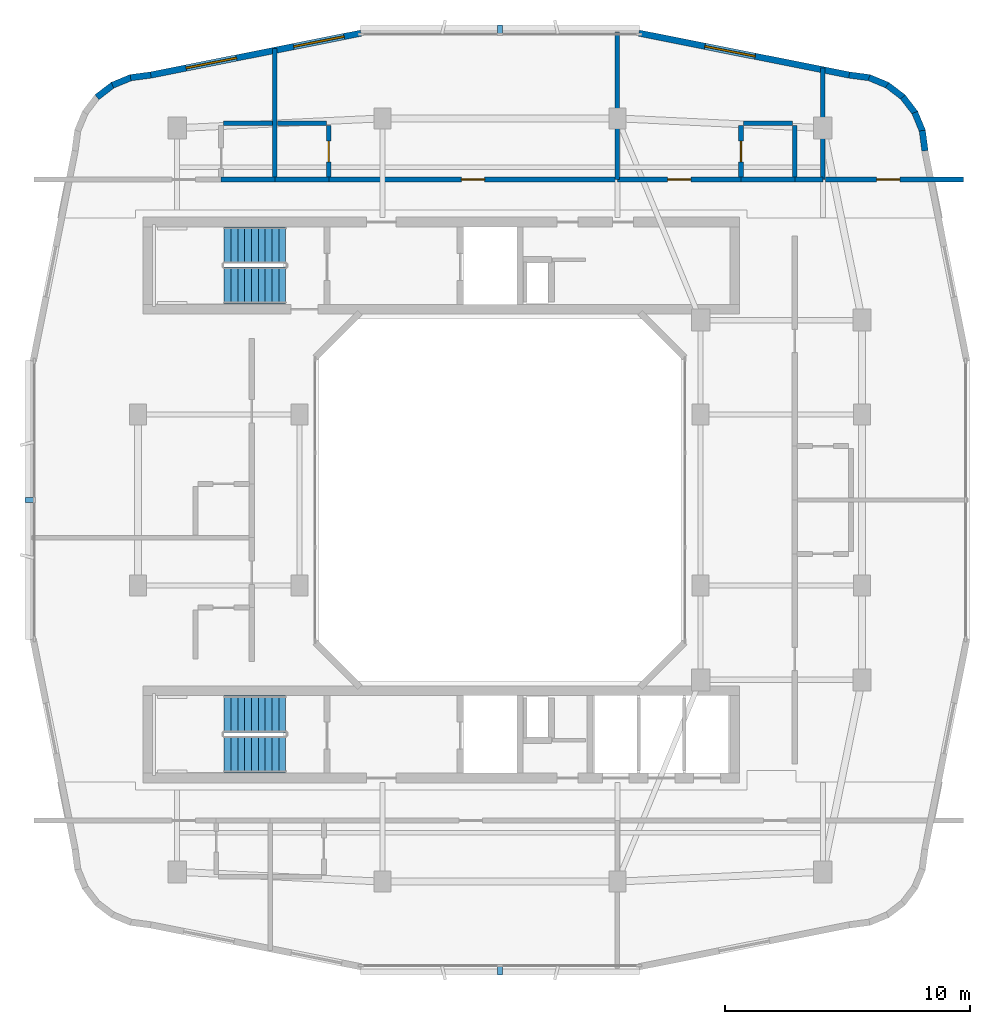
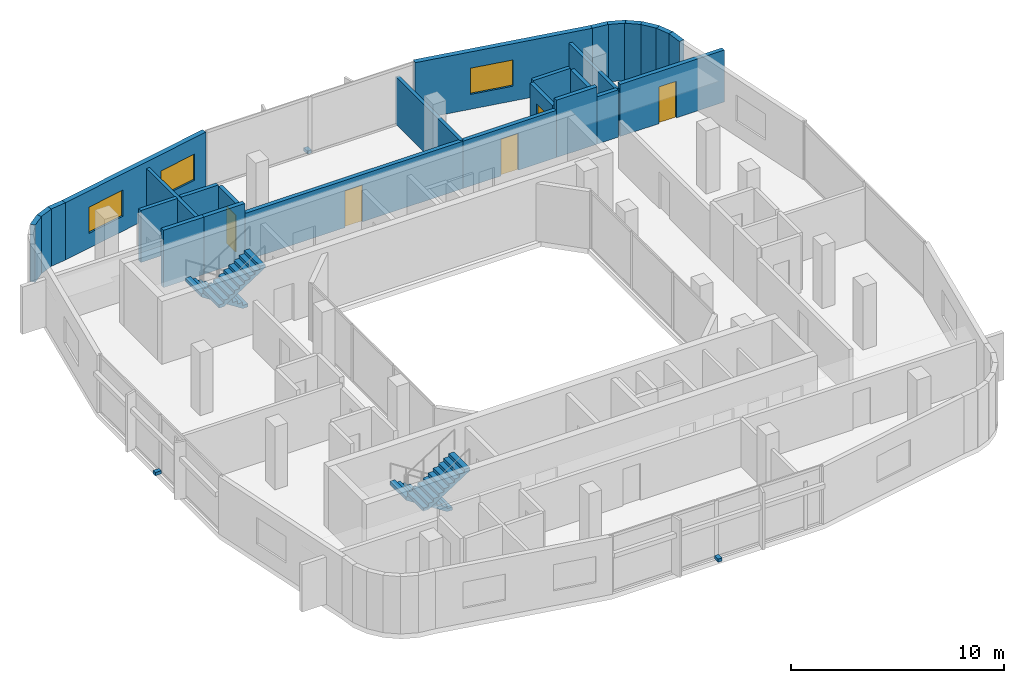
# One storey, part 9 of 13: 27 walls, 5 doors, 4 stair flights, 3 discrete accessories, 3 windows, 8 openings, 2 elements without a shape of their own.
"""IFC4 building model written with IfcOpenShell, lengths in metres."""

from ifc_helpers import new_model, si_unit, derived_unit, direction, frame, frame_2d, origin, origin_2d, place, context, subcontext, project, spatial, polyline, rectangle, outline, extrude, material, layer, layer_set, type_object, element, fill, aggregate, save


model = new_model("IFC4")

# Units and contexts
model_context = context("Model", 3, precision=1e-05, world=origin(), true_north=direction((0.0, 1.0)))
body_context = subcontext(model_context, "Body", "Model", "MODEL_VIEW")
ifc_project = project(units=[si_unit("LENGTHUNIT", "METRE"), si_unit("AREAUNIT", "SQUARE_METRE"), si_unit("VOLUMEUNIT", "CUBIC_METRE"), si_unit("PLANEANGLEUNIT", "RADIAN"), si_unit("MASSUNIT", "GRAM", prefix="KILO"), derived_unit("THERMALTRANSMITTANCEUNIT", [(si_unit("POWERUNIT", "WATT"), 1), (si_unit("LENGTHUNIT", "METRE"), -2), (si_unit("THERMODYNAMICTEMPERATUREUNIT", "KELVIN"), -1)])], contexts=[model_context])

# Site, building, storey
site_placement = place(None, origin())
site = spatial("IfcSite", under=ifc_project, at=site_placement, CompositionType="ELEMENT")
building_placement = place(site_placement, origin())
building = spatial("IfcBuilding", under=site, at=building_placement, Name="Kivonza Crest Hotel", CompositionType="ELEMENT")
storey_placement = place(building_placement, frame((0.0, 0.0, 235.10009765625)))
storey = spatial("IfcBuildingStorey", under=building, at=storey_placement, Name="L64", CompositionType="ELEMENT", Elevation=235.10009765625)

# Walls
ifc_material_1 = material(Name="High-density acoustic masonry inter-tenancy wall", Category="masonry")
ifc_layer_1 = layer(ifc_material_1, 0.179931640625)
ifc_layer_set_1 = layer_set([ifc_layer_1], Name="High-density acoustic masonry inter-tenancy wall")
wall_type_1 = type_object("IfcWallType", Name="WL-ACOU-180", PredefinedType="SOLIDWALL", material=ifc_layer_set_1)
wall_1_placement = place(storey_placement, frame((11.800048828125, 38.10009765625, 0.0), z_axis=(0.0, 0.0, 1.0), x_axis=(0.0, 1.0, 0.0)))
element("IfcWall", 1, at=wall_1_placement, inside=storey, type_object=wall_type_1, Name="L64 interior partition WA-L64-T1N-DIV1", PredefinedType="SOLIDWALL", context=body_context, shape_type="SweptSolid", body=[
    extrude(rectangle(XDim=5.35400390625, YDim=0.179931640625, at=frame_2d((2.677001953125, 0.0))), origin(), (0.0, 0.0, 1.0), 2.89501953125),
])
wall_2_placement = place(storey_placement, frame((25.800048828125, 38.10009765625, 0.0), z_axis=(0.0, 0.0, 1.0), x_axis=(0.0, 1.0, 0.0)))
element("IfcWall", 2, at=wall_2_placement, inside=storey, type_object=wall_type_1, Name="L64 interior partition WA-L64-T1N-DIV2", PredefinedType="SOLIDWALL", context=body_context, shape_type="SweptSolid", body=[
    extrude(rectangle(XDim=6.039794921875, YDim=0.179931640625, at=frame_2d((3.02001953125, 0.0))), origin(), (0.0, 0.0, 1.0), 2.704833984375),
])
wall_3_placement = place(storey_placement, frame((34.199951171875, 38.10009765625, 0.0), z_axis=(0.0, 0.0, 1.0), x_axis=(0.0, 1.0, 0.0)))
element("IfcWall", 3, at=wall_3_placement, inside=storey, type_object=wall_type_1, Name="L64 interior partition WA-L64-T1N-DIV3", PredefinedType="SOLIDWALL", context=body_context, shape_type="SweptSolid", body=[
    extrude(rectangle(XDim=4.557861328125, YDim=0.179931640625, at=frame_2d((2.27880859375, 0.0))), origin(), (0.0, 0.0, 1.0), 2.704833984375),
])
ifc_material_2 = material(Name="Autoclaved aerated concrete blockwork", Category="masonry")
ifc_layer_2 = layer(ifc_material_2, 0.219970703125)
ifc_layer_set_2 = layer_set([ifc_layer_2], Name="Autoclaved aerated concrete blockwork")
wall_type_2 = type_object("IfcWallType", Name="WL-ACOU-220", PredefinedType="SOLIDWALL", material=ifc_layer_set_2)
for number, where, z_axis, x_axis, name in (
    (4, (9.60009765625, 38.10009765625, 0.0), (0.0, 0.0, 1.0), (1.0, 0.0, 0.0), "L64 interior partition WA-L64-N01-BCORR"),
    (5, (11.800048828125, 38.10009765625, 0.0), (0.0, 0.0, 1.0), (1.0, 0.0, 0.0), "L64 interior partition WA-L64-N02-BCORR"),
):
    element("IfcWall", number, at=place(storey_placement, frame(where, z_axis=z_axis, x_axis=x_axis)), inside=storey, type_object=wall_type_2, Name=name, PredefinedType="SOLIDWALL", context=body_context, shape_type="SweptSolid", body=[
        extrude(rectangle(XDim=2.199951171875, YDim=0.219970703125, at=frame_2d((1.10009765625, 0.0))), origin(), (0.0, 0.0, 1.0), 3.27978515625),
    ])

# Wall, opening, door
wall_4_placement = place(storey_placement, frame((14.0, 38.10009765625, 0.0), z_axis=(0.0, 0.0, 1.0), x_axis=(1.0, 0.0, 0.0)))
wall_4 = element("IfcWall", 6, at=wall_4_placement, inside=storey, type_object=wall_type_2, Name="L64 interior partition WA-L64-N02-MCORR", PredefinedType="SOLIDWALL", context=body_context, shape_type="SweptSolid", body=[
    extrude(rectangle(XDim=11.800048828125, YDim=0.219970703125, at=frame_2d((5.89990234375, 0.0))), origin(), (0.0, 0.0, 1.0), 2.704833984375),
])
opening_1_placement = place(wall_4_placement, frame((5.425048828125, 0.0, 0.0)))
opening_1 = element("IfcOpeningElement", 7, at=opening_1_placement, cuts=wall_4, Name="Opening DU-60", PredefinedType="OPENING", context=body_context, shape_type="SweptSolid", body=[
    extrude(rectangle(XDim=0.949951171875, YDim=2.10009765625, at=frame_2d((0.47509765625, 1.050048828125))), frame((0.0, 0.1201171875, 0.0), z_axis=(0.0, -1.0, 0.0), x_axis=(1.0, 0.0, 0.0)), (0.0, 0.0, 1.0), 0.239990234375),
])
ifc_material_3 = material(Name="Hardwood timber oak", Category="wood")
door_type_1 = type_object("IfcDoorType", Name="DR-UNIT-950", OperationType="NOTDEFINED", PredefinedType="DOOR", material=ifc_material_3)
door_1_placement = place(opening_1_placement, origin())
door_1 = element("IfcDoor", 8, at=door_1_placement, inside=storey, type_object=door_type_1, Name="L64 N02 guest unit entrance fire door", OperationType="SINGLE_SWING_RIGHT", OverallHeight=2.10009765625, OverallWidth=0.949951171875, PredefinedType="DOOR", context=body_context, shape_type="SweptSolid", body=[
    extrude(rectangle(XDim=0.949951171875, YDim=2.10009765625, at=frame_2d((0.47509765625, 1.050048828125))), frame((0.0, 0.02490234375, 0.0), z_axis=(0.0, -1.0, 0.0), x_axis=(1.0, 0.0, 0.0)), (0.0, 0.0, 1.0), 0.050048828125),
])
fill(opening_1, door_1)

# Walls
wall_5_placement = place(storey_placement, frame((33.050048828125, 38.10009765625, 0.0), z_axis=(0.0, 0.0, 1.0), x_axis=(1.0, 0.0, 0.0)))
element("IfcWall", 9, at=wall_5_placement, inside=storey, type_object=wall_type_2, Name="L64 interior partition WA-L64-N03-XCORR", PredefinedType="SOLIDWALL", context=body_context, shape_type="SweptSolid", body=[
    extrude(rectangle(XDim=1.14990234375, YDim=0.219970703125, at=frame_2d((0.574951171875, 0.0))), origin(), (0.0, 0.0, 1.0), 2.704833984375),
])
wall_6_placement = place(storey_placement, frame((30.85009765625, 38.10009765625, 0.0), z_axis=(0.0, 0.0, 1.0), x_axis=(1.0, 0.0, 0.0)))
element("IfcWall", 10, at=wall_6_placement, inside=storey, type_object=wall_type_2, Name="L64 interior partition WA-L64-N03-BCORR", PredefinedType="SOLIDWALL", context=body_context, shape_type="SweptSolid", body=[
    extrude(rectangle(XDim=2.199951171875, YDim=0.219970703125, at=frame_2d((1.10009765625, 0.0))), origin(), (0.0, 0.0, 1.0), 3.27978515625),
])

# Wall, opening, door
wall_7_placement = place(storey_placement, frame((25.800048828125, 38.10009765625, 0.0), z_axis=(0.0, 0.0, 1.0), x_axis=(1.0, 0.0, 0.0)))
wall_7 = element("IfcWall", 11, at=wall_7_placement, inside=storey, type_object=wall_type_2, Name="L64 interior partition WA-L64-N03-MCORR", PredefinedType="SOLIDWALL", context=body_context, shape_type="SweptSolid", body=[
    extrude(rectangle(XDim=5.050048828125, YDim=0.219970703125, at=frame_2d((2.52490234375, 0.0))), origin(), (0.0, 0.0, 1.0), 2.704833984375),
])
opening_2_placement = place(wall_7_placement, frame((2.050048828125, 0.0, 0.0)))
opening_2 = element("IfcOpeningElement", 12, at=opening_2_placement, cuts=wall_7, Name="Opening DU-60", PredefinedType="OPENING", context=body_context, shape_type="SweptSolid", body=[
    extrude(rectangle(XDim=0.949951171875, YDim=2.10009765625, at=frame_2d((0.47509765625, 1.050048828125))), frame((0.0, 0.1201171875, 0.0), z_axis=(0.0, -1.0, 0.0), x_axis=(1.0, 0.0, 0.0)), (0.0, 0.0, 1.0), 0.239990234375),
])
door_2_placement = place(opening_2_placement, origin())
door_2 = element("IfcDoor", 13, at=door_2_placement, inside=storey, type_object=door_type_1, Name="L64 N03 guest unit entrance fire door", OperationType="SINGLE_SWING_LEFT", OverallHeight=2.10009765625, OverallWidth=0.949951171875, PredefinedType="DOOR", context=body_context, shape_type="SweptSolid", body=[
    extrude(rectangle(XDim=0.949951171875, YDim=2.10009765625, at=frame_2d((0.47509765625, 1.050048828125))), frame((0.0, 0.02490234375, 0.0), z_axis=(0.0, -1.0, 0.0), x_axis=(1.0, 0.0, 0.0)), (0.0, 0.0, 1.0), 0.050048828125),
])
fill(opening_2, door_2)

wall_8_placement = place(storey_placement, frame((34.300048828125, 38.10009765625, 0.0), z_axis=(0.0, 0.0, 1.0), x_axis=(1.0, 0.0, 0.0)))
wall_8 = element("IfcWall", 14, at=wall_8_placement, inside=storey, type_object=wall_type_2, Name="L64 interior partition WA-L64-N-AMEN-S", PredefinedType="SOLIDWALL", context=body_context, shape_type="SweptSolid", body=[
    extrude(rectangle(XDim=5.639892578125, YDim=0.219970703125, at=frame_2d((2.81982421875, 0.0))), origin(), (0.0, 0.0, 1.0), 2.974853515625),
])
opening_3_placement = place(wall_8_placement, frame((2.10009765625, 0.0, 0.0)))
opening_3 = element("IfcOpeningElement", 15, at=opening_3_placement, cuts=wall_8, Name="Opening DF-60S", PredefinedType="OPENING", context=body_context, shape_type="SweptSolid", body=[
    extrude(rectangle(XDim=0.949951171875, YDim=2.10009765625, at=frame_2d((0.47509765625, 1.050048828125))), frame((0.0, 0.1201171875, 0.0), z_axis=(0.0, -1.0, 0.0), x_axis=(1.0, 0.0, 0.0)), (0.0, 0.0, 1.0), 0.239990234375),
])
door_type_2 = type_object("IfcDoorType", Name="DR-FD60-950", OperationType="NOTDEFINED", PredefinedType="DOOR", material=ifc_material_3)
door_3_placement = place(opening_3_placement, origin())
door_3 = element("IfcDoor", 16, at=door_3_placement, inside=storey, type_object=door_type_2, Name="L64 Guest Business Office door", OperationType="SINGLE_SWING_LEFT", OverallHeight=2.10009765625, OverallWidth=0.949951171875, PredefinedType="DOOR", context=body_context, shape_type="SweptSolid", body=[
    extrude(rectangle(XDim=0.949951171875, YDim=2.10009765625, at=frame_2d((0.47509765625, 1.050048828125))), frame((0.0, 0.02490234375, 0.0), z_axis=(0.0, -1.0, 0.0), x_axis=(1.0, 0.0, 0.0)), (0.0, 0.0, 1.0), 0.050048828125),
])
fill(opening_3, door_3)

# Walls
ifc_material_4 = material(Name="Precast concrete C40/50", Category="concrete")
ifc_layer_3 = layer(ifc_material_4, 0.260009765625)
ifc_layer_set_3 = layer_set([ifc_layer_3], Name="Precast concrete C40/50")
wall_type_3 = type_object("IfcWallType", Name="WL-EXT-260", PredefinedType="STANDARD", material=ifc_layer_set_3)
wall_9_placement = place(storey_placement, frame((38.3720703125, 39.27490234375, 0.0), z_axis=(0.0, 0.0, 1.0), x_axis=(-0.130954667764, 0.9913883573, 0.0)))
element("IfcWall", 17, at=wall_9_placement, inside=storey, type_object=wall_type_3, Name="L64 T1 exterior insulated wall 19", PredefinedType="STANDARD", context=body_context, shape_type="SweptSolid", body=[
    extrude(rectangle(XDim=0.833251953125, YDim=0.260009765625, at=frame_2d((0.41650390625, 0.0))), origin(), (0.0, 0.0, 1.0), 3.27978515625),
])
wall_10_placement = place(storey_placement, frame((38.281005859375, 40.054931640625, 0.0), z_axis=(0.0, 0.0, 1.0), x_axis=(-0.382985169477, 0.923754491172, 0.0)))
element("IfcWall", 18, at=wall_10_placement, inside=storey, type_object=wall_type_3, Name="L64 T1 exterior insulated wall 20", PredefinedType="STANDARD", context=body_context, shape_type="SweptSolid", body=[
    extrude(rectangle(XDim=0.85107421875, YDim=0.260009765625, at=frame_2d((0.425537109375, 0.0))), origin(), (0.0, 0.0, 1.0), 3.27978515625),
])
for number, where, z_axis, x_axis, name in (
    (19, (37.98291015625, 40.801025390625, 0.0), (0.0, 0.0, 1.0), (-0.607918988881, 0.793999057278, 0.0), "L64 T1 exterior insulated wall 21"),
    (20, (37.50390625, 41.445068359375, 0.0), (0.0, 0.0, 1.0), (-0.793892896323, 0.608057619941, 0.0), "L64 T1 exterior insulated wall 22"),
):
    element("IfcWall", number, at=place(storey_placement, frame(where, z_axis=z_axis, x_axis=x_axis)), inside=storey, type_object=wall_type_3, Name=name, PredefinedType="STANDARD", context=body_context, shape_type="SweptSolid", body=[
        extrude(rectangle(XDim=0.85009765625, YDim=0.260009765625, at=frame_2d((0.425048828125, 0.0))), origin(), (0.0, 0.0, 1.0), 3.27978515625),
    ])
wall_11_placement = place(storey_placement, frame((36.873046875, 41.94091796875, 0.0), z_axis=(0.0, 0.0, 1.0), x_axis=(-0.923652976167, 0.383229930484, 0.0)))
element("IfcWall", 21, at=wall_11_placement, inside=storey, type_object=wall_type_3, Name="L64 T1 exterior insulated wall 23", PredefinedType="STANDARD", context=body_context, shape_type="SweptSolid", body=[
    extrude(rectangle(XDim=0.85107421875, YDim=0.260009765625, at=frame_2d((0.425537109375, 0.0))), origin(), (0.0, 0.0, 1.0), 3.27978515625),
])
wall_12_placement = place(storey_placement, frame((36.135986328125, 42.259033203125, 0.0), z_axis=(0.0, 0.0, 1.0), x_axis=(-0.991493480548, 0.130156359936, 0.0)))
element("IfcWall", 22, at=wall_12_placement, inside=storey, type_object=wall_type_3, Name="L64 T1 exterior insulated wall 24", PredefinedType="STANDARD", context=body_context, shape_type="SweptSolid", body=[
    extrude(rectangle(XDim=0.868408203125, YDim=0.260009765625, at=frame_2d((0.43408203125, 0.0))), origin(), (0.0, 0.0, 1.0), 3.27978515625),
])

# Wall, opening, window
wall_13_placement = place(storey_placement, frame((35.282958984375, 42.37109375, 0.0), z_axis=(0.0, 0.0, 1.0), x_axis=(-0.980745199176, 0.195291715883, 0.0)))
wall_13 = element("IfcWall", 23, at=wall_13_placement, inside=storey, type_object=wall_type_3, Name="L64 T1 exterior insulated wall 25", PredefinedType="STANDARD", context=body_context, shape_type="SweptSolid", body=[
    extrude(rectangle(XDim=8.77099609375, YDim=0.260009765625, at=frame_2d((4.385498046875, 0.0))), origin(), (0.0, 0.0, 1.0), 3.27978515625),
])
opening_4_placement = place(wall_13_placement, frame((3.925048828125, 0.0, 0.85009765625)))
opening_4 = element("IfcOpeningElement", 24, at=opening_4_placement, cuts=wall_13, Name="Opening WN-04", PredefinedType="OPENING", context=body_context, shape_type="SweptSolid", body=[
    extrude(rectangle(XDim=2.10009765625, YDim=1.5, at=frame_2d((1.050048828125, 0.75))), frame((0.0, 0.14013671875, 0.0), z_axis=(0.0, -1.0, 0.0), x_axis=(1.0, 0.0, 0.0)), (0.0, 0.0, 1.0), 0.280029296875),
])
ifc_material_5 = material(Name="Thermally broken bronze aluminium and low-E double glazing", Category="aluminium")
window_type = type_object("IfcWindowType", Name="WN-210x150", PartitioningType="DOUBLE_PANEL_VERTICAL", PredefinedType="WINDOW", material=ifc_material_5)
window_1_placement = place(opening_4_placement, origin())
window_1 = element("IfcWindow", 25, at=window_1_placement, inside=storey, type_object=window_type, Name="L64 T1 facade window 25", OverallHeight=1.5, OverallWidth=2.10009765625, PartitioningType="SINGLE_PANEL", PredefinedType="WINDOW", context=body_context, shape_type="SweptSolid", body=[
    extrude(rectangle(XDim=2.10009765625, YDim=1.5, at=frame_2d((1.050048828125, 0.75))), frame((0.0, 0.030029296875, 0.0), z_axis=(0.0, -1.0, 0.0), x_axis=(1.0, 0.0, 0.0)), (0.0, 0.0, 1.0), 0.06005859375),
])
fill(opening_4, window_1)

# Wall, openings, windows
wall_14_placement = place(storey_placement, frame((15.319091796875, 44.083984375, 0.0), z_axis=(0.0, 0.0, 1.0), x_axis=(-0.980745199176, -0.195291715883, 0.0)))
wall_14 = element("IfcWall", 26, at=wall_14_placement, inside=storey, type_object=wall_type_3, Name="L64 T1 exterior insulated wall 27", PredefinedType="STANDARD", context=body_context, shape_type="SweptSolid", body=[
    extrude(rectangle(XDim=8.77099609375, YDim=0.260009765625, at=frame_2d((4.385498046875, 0.0))), origin(), (0.0, 0.0, 1.0), 3.27978515625),
])
opening_5_placement = place(wall_14_placement, frame((0.70703125, 0.0, 0.85009765625)))
opening_5 = element("IfcOpeningElement", 27, at=opening_5_placement, cuts=wall_14, Name="Opening WN-04", PredefinedType="OPENING", context=body_context, shape_type="SweptSolid", body=[
    extrude(rectangle(XDim=2.10009765625, YDim=1.5, at=frame_2d((1.050048828125, 0.75))), frame((0.0, 0.14013671875, 0.0), z_axis=(0.0, -1.0, 0.0), x_axis=(1.0, 0.0, 0.0)), (0.0, 0.0, 1.0), 0.280029296875),
])
opening_6_placement = place(wall_14_placement, frame((5.19091796875, 0.0, 0.85009765625)))
opening_6 = element("IfcOpeningElement", 28, at=opening_6_placement, cuts=wall_14, Name="Opening WN-04", PredefinedType="OPENING", context=body_context, shape_type="SweptSolid", body=[
    extrude(rectangle(XDim=2.10009765625, YDim=1.5, at=frame_2d((1.050048828125, 0.75))), frame((0.0, 0.14013671875, 0.0), z_axis=(0.0, -1.0, 0.0), x_axis=(1.0, 0.0, 0.0)), (0.0, 0.0, 1.0), 0.280029296875),
])
window_2_placement = place(opening_5_placement, origin())
window_2 = element("IfcWindow", 29, at=window_2_placement, inside=storey, type_object=window_type, Name="L64 T1 facade window 27 bay 1", OverallHeight=1.5, OverallWidth=2.10009765625, PartitioningType="SINGLE_PANEL", PredefinedType="WINDOW", context=body_context, shape_type="SweptSolid", body=[
    extrude(rectangle(XDim=2.10009765625, YDim=1.5, at=frame_2d((1.050048828125, 0.75))), frame((0.0, 0.030029296875, 0.0), z_axis=(0.0, -1.0, 0.0), x_axis=(1.0, 0.0, 0.0)), (0.0, 0.0, 1.0), 0.06005859375),
])
fill(opening_5, window_2)
window_3_placement = place(opening_6_placement, origin())
window_3 = element("IfcWindow", 30, at=window_3_placement, inside=storey, type_object=window_type, Name="L64 T1 facade window 27 bay 2", OverallHeight=1.5, OverallWidth=2.10009765625, PartitioningType="SINGLE_PANEL", PredefinedType="WINDOW", context=body_context, shape_type="SweptSolid", body=[
    extrude(rectangle(XDim=2.10009765625, YDim=1.5, at=frame_2d((1.050048828125, 0.75))), frame((0.0, 0.030029296875, 0.0), z_axis=(0.0, -1.0, 0.0), x_axis=(1.0, 0.0, 0.0)), (0.0, 0.0, 1.0), 0.06005859375),
])
fill(opening_6, window_3)

# Walls
wall_15_placement = place(storey_placement, frame((6.72509765625, 42.3720703125, 0.0), z_axis=(0.0, 0.0, 1.0), x_axis=(-0.9913883573, -0.130954667764, 0.0)))
element("IfcWall", 31, at=wall_15_placement, inside=storey, type_object=wall_type_3, Name="L64 T1 exterior insulated wall 28", PredefinedType="STANDARD", context=body_context, shape_type="SweptSolid", body=[
    extrude(rectangle(XDim=0.833251953125, YDim=0.260009765625, at=frame_2d((0.41650390625, 0.0))), origin(), (0.0, 0.0, 1.0), 3.27978515625),
])
wall_16_placement = place(storey_placement, frame((5.945068359375, 42.281005859375, 0.0), z_axis=(0.0, 0.0, 1.0), x_axis=(-0.923754491172, -0.382985169477, 0.0)))
element("IfcWall", 32, at=wall_16_placement, inside=storey, type_object=wall_type_3, Name="L64 T1 exterior insulated wall 29", PredefinedType="STANDARD", context=body_context, shape_type="SweptSolid", body=[
    extrude(rectangle(XDim=0.85107421875, YDim=0.260009765625, at=frame_2d((0.425537109375, 0.0))), origin(), (0.0, 0.0, 1.0), 3.27978515625),
])
wall_17_placement = place(storey_placement, frame((5.198974609375, 41.98291015625, 0.0), z_axis=(0.0, 0.0, 1.0), x_axis=(-0.793999057278, -0.607918988881, 0.0)))
element("IfcWall", 33, at=wall_17_placement, inside=storey, type_object=wall_type_3, Name="L64 T1 exterior insulated wall 30", PredefinedType="STANDARD", context=body_context, shape_type="SweptSolid", body=[
    extrude(rectangle(XDim=0.85009765625, YDim=0.260009765625, at=frame_2d((0.425048828125, 0.0))), origin(), (0.0, 0.0, 1.0), 3.27978515625),
])
ifc_material_6 = material(Name="Moisture-resistant plumbing chase partition wall", Category="gypsum")
ifc_layer_4 = layer(ifc_material_6, 0.199951171875)
ifc_layer_set_4 = layer_set([ifc_layer_4], Name="Moisture-resistant plumbing chase partition wall")
wall_type_4 = type_object("IfcWallType", Name="WL-PLUMB-200", PredefinedType="PLUMBINGWALL", material=ifc_layer_set_4)
wall_18_placement = place(storey_placement, frame((9.699951171875, 40.39990234375, 0.0), z_axis=(0.0, 0.0, 1.0), x_axis=(1.0, 0.0, 0.0)))
element("IfcWall", 34, at=wall_18_placement, inside=storey, type_object=wall_type_4, Name="L64 interior partition WW-L64-N01-BH", PredefinedType="PLUMBINGWALL", context=body_context, shape_type="SweptSolid", body=[
    extrude(rectangle(XDim=2.0, YDim=0.199951171875, at=frame_2d((1.0, 0.0))), origin(), (0.0, 0.0, 1.0), 2.974853515625),
])

# Wall, opening, door
wall_19_placement = place(storey_placement, frame((14.0, 38.199951171875, 0.0), z_axis=(0.0, 0.0, 1.0), x_axis=(0.0, 1.0, 0.0)))
wall_19 = element("IfcWall", 35, at=wall_19_placement, inside=storey, type_object=wall_type_4, Name="L64 interior partition WW-L64-N02-BV", PredefinedType="PLUMBINGWALL", context=body_context, shape_type="SweptSolid", body=[
    extrude(rectangle(XDim=2.10009765625, YDim=0.199951171875, at=frame_2d((1.050048828125, 0.0))), origin(), (0.0, 0.0, 1.0), 2.89501953125),
])
opening_7_placement = place(wall_19_placement, frame((0.625, 0.0, 0.0)))
opening_7 = element("IfcOpeningElement", 36, at=opening_7_placement, cuts=wall_19, Name="Opening DI-85", PredefinedType="OPENING", context=body_context, shape_type="SweptSolid", body=[
    extrude(rectangle(XDim=0.85009765625, YDim=2.10009765625, at=frame_2d((0.425048828125, 1.050048828125))), frame((0.0, 0.10986328125, 0.0), z_axis=(0.0, -1.0, 0.0), x_axis=(1.0, 0.0, 0.0)), (0.0, 0.0, 1.0), 0.219970703125),
])
door_type_3 = type_object("IfcDoorType", Name="DR-INT-850", OperationType="NOTDEFINED", PredefinedType="DOOR", material=ifc_material_3)
door_4_placement = place(opening_7_placement, frame((0.85009765625, 0.0, 0.0), z_axis=(0.0, 0.0, 1.0), x_axis=(-1.0, 0.0, 0.0)))
door_4 = element("IfcDoor", 37, at=door_4_placement, inside=storey, type_object=door_type_3, Name="L64 N02 en-suite bathroom door", OperationType="SINGLE_SWING_LEFT", OverallHeight=2.10009765625, OverallWidth=0.85009765625, PredefinedType="DOOR", context=body_context, shape_type="SweptSolid", body=[
    extrude(rectangle(XDim=0.85009765625, YDim=2.10009765625, at=frame_2d((0.425048828125, 1.050048828125))), frame((0.0, 0.02490234375, 0.0), z_axis=(0.0, -1.0, 0.0), x_axis=(1.0, 0.0, 0.0)), (0.0, 0.0, 1.0), 0.050048828125),
])
fill(opening_7, door_4)

# Wall
wall_20_placement = place(storey_placement, frame((11.89990234375, 40.39990234375, 0.0), z_axis=(0.0, 0.0, 1.0), x_axis=(1.0, 0.0, 0.0)))
element("IfcWall", 38, at=wall_20_placement, inside=storey, type_object=wall_type_4, Name="L64 interior partition WW-L64-N02-BH", PredefinedType="PLUMBINGWALL", context=body_context, shape_type="SweptSolid", body=[
    extrude(rectangle(XDim=2.0, YDim=0.199951171875, at=frame_2d((1.0, 0.0))), origin(), (0.0, 0.0, 1.0), 2.974853515625),
])

# Wall, opening, door
wall_21_placement = place(storey_placement, frame((30.85009765625, 38.199951171875, 0.0), z_axis=(0.0, 0.0, 1.0), x_axis=(0.0, 1.0, 0.0)))
wall_21 = element("IfcWall", 39, at=wall_21_placement, inside=storey, type_object=wall_type_4, Name="L64 interior partition WW-L64-N03-BV", PredefinedType="PLUMBINGWALL", context=body_context, shape_type="SweptSolid", body=[
    extrude(rectangle(XDim=2.10009765625, YDim=0.199951171875, at=frame_2d((1.050048828125, 0.0))), origin(), (0.0, 0.0, 1.0), 2.89501953125),
])
opening_8_placement = place(wall_21_placement, frame((0.625, 0.0, 0.0)))
opening_8 = element("IfcOpeningElement", 40, at=opening_8_placement, cuts=wall_21, Name="Opening DI-85", PredefinedType="OPENING", context=body_context, shape_type="SweptSolid", body=[
    extrude(rectangle(XDim=0.85009765625, YDim=2.10009765625, at=frame_2d((0.425048828125, 1.050048828125))), frame((0.0, 0.10986328125, 0.0), z_axis=(0.0, -1.0, 0.0), x_axis=(1.0, 0.0, 0.0)), (0.0, 0.0, 1.0), 0.219970703125),
])
door_5_placement = place(opening_8_placement, origin())
door_5 = element("IfcDoor", 41, at=door_5_placement, inside=storey, type_object=door_type_3, Name="L64 N03 en-suite bathroom door", OperationType="SINGLE_SWING_RIGHT", OverallHeight=2.10009765625, OverallWidth=0.85009765625, PredefinedType="DOOR", context=body_context, shape_type="SweptSolid", body=[
    extrude(rectangle(XDim=0.85009765625, YDim=2.10009765625, at=frame_2d((0.425048828125, 1.050048828125))), frame((0.0, 0.02490234375, 0.0), z_axis=(0.0, -1.0, 0.0), x_axis=(1.0, 0.0, 0.0)), (0.0, 0.0, 1.0), 0.050048828125),
])
fill(opening_8, door_5)

# Walls
wall_22_placement = place(storey_placement, frame((30.949951171875, 40.39990234375, 0.0), z_axis=(0.0, 0.0, 1.0), x_axis=(1.0, 0.0, 0.0)))
element("IfcWall", 42, at=wall_22_placement, inside=storey, type_object=wall_type_4, Name="L64 interior partition WW-L64-N03-BH", PredefinedType="PLUMBINGWALL", context=body_context, shape_type="SweptSolid", body=[
    extrude(rectangle(XDim=2.0, YDim=0.199951171875, at=frame_2d((1.0, 0.0))), origin(), (0.0, 0.0, 1.0), 2.974853515625),
])
wall_23_placement = place(storey_placement, frame((33.050048828125, 38.199951171875, 0.0), z_axis=(0.0, 0.0, 1.0), x_axis=(0.0, 1.0, 0.0)))
element("IfcWall", 43, at=wall_23_placement, inside=storey, type_object=wall_type_4, Name="L64 interior partition WW-L64-N03-BVE", PredefinedType="PLUMBINGWALL", context=body_context, shape_type="SweptSolid", body=[
    extrude(rectangle(XDim=2.10009765625, YDim=0.199951171875, at=frame_2d((1.050048828125, 0.0))), origin(), (0.0, 0.0, 1.0), 2.89501953125),
])

# Stair, stair flights
ifc_material_7 = material(Name="Concrete C40/50", Category="concrete")
stair_type = type_object("IfcStairType", Name="ST-DL-20R", PredefinedType="HALF_TURN_STAIR", material=ifc_material_7)
stair_1_placement = place(storey_placement, origin())
stair_1 = element("IfcStair", 44, at=stair_1_placement, inside=storey, type_object=stair_type, Name="L64 Protected Exit Stair ST-T1-N", PredefinedType="HALF_TURN_STAIR")
stair_flight_type = type_object("IfcStairFlightType", Name="SFL-RC-10R", PredefinedType="STRAIGHT", material=ifc_material_7)
stair_flight_1_placement = place(storey_placement, frame((12.239990234375, 35.409912109375, 0.0), z_axis=(0.0, 0.0, 1.0), x_axis=(-1.0, 0.0, 0.0)))
stair_flight_1 = element("IfcStairFlight", 45, at=stair_flight_1_placement, type_object=stair_flight_type, Name="ST-T1-N flight 1", NumberOfRisers=10, NumberOfTreads=9, PredefinedType="STRAIGHT", RiserHeight=0.18, TreadLength=0.28, context=body_context, shape_type="SweptSolid", body=[
    extrude(outline(polyline([(0.0, 0.0), (0.0, 0.179931640625), (0.280029296875, 0.179931640625), (0.280029296875, 0.360107421875), (0.56005859375, 0.360107421875), (0.56005859375, 0.5400390625), (0.840087890625, 0.5400390625), (0.840087890625, 0.719970703125), (1.1201171875, 0.719970703125), (1.1201171875, 0.89990234375), (1.39990234375, 0.89990234375), (1.39990234375, 1.080078125), (1.679931640625, 1.080078125), (1.679931640625, 1.260009765625), (1.9599609375, 1.260009765625), (1.9599609375, 1.43994140625), (2.239990234375, 1.43994140625), (2.239990234375, 1.6201171875), (2.52001953125, 1.6201171875), (2.52001953125, 1.800048828125), (2.52001953125, 1.44189453125), (0.277099609375, 0.0), (0.0, 0.0)])), frame((0.0, 0.75, 0.0), z_axis=(0.0, -1.0, 0.0), x_axis=(1.0, 0.0, 0.0)), (0.0, 0.0, 1.0), 1.5),
])
stair_flight_2_placement = place(storey_placement, frame((9.719970703125, 33.77001953125, 1.7998046875), z_axis=(0.0, 0.0, 1.0), x_axis=(1.0, 0.0, 0.0)))
stair_flight_2 = element("IfcStairFlight", 46, at=stair_flight_2_placement, type_object=stair_flight_type, Name="ST-T1-N flight 2", NumberOfRisers=10, NumberOfTreads=9, PredefinedType="STRAIGHT", RiserHeight=0.18, TreadLength=0.28, context=body_context, shape_type="SweptSolid", body=[
    extrude(outline(polyline([(0.0, 0.0), (0.0, 0.179931640625), (0.280029296875, 0.179931640625), (0.280029296875, 0.360107421875), (0.56005859375, 0.360107421875), (0.56005859375, 0.5400390625), (0.840087890625, 0.5400390625), (0.840087890625, 0.719970703125), (1.1201171875, 0.719970703125), (1.1201171875, 0.89990234375), (1.39990234375, 0.89990234375), (1.39990234375, 1.080078125), (1.679931640625, 1.080078125), (1.679931640625, 1.260009765625), (1.9599609375, 1.260009765625), (1.9599609375, 1.43994140625), (2.239990234375, 1.43994140625), (2.239990234375, 1.6201171875), (2.52001953125, 1.6201171875), (2.52001953125, 1.800048828125), (2.52001953125, 1.44189453125), (0.277099609375, 0.0), (0.0, 0.0)])), frame((0.0, 0.75, 0.0), z_axis=(0.0, -1.0, 0.0), x_axis=(1.0, 0.0, 0.0)), (0.0, 0.0, 1.0), 1.5),
])
aggregate(stair_1, [stair_flight_1, stair_flight_2])

stair_2_placement = place(storey_placement, origin())
stair_2 = element("IfcStair", 47, at=stair_2_placement, inside=storey, type_object=stair_type, Name="L64 Protected Exit Stair ST-T1-S", PredefinedType="HALF_TURN_STAIR")
stair_flight_3_placement = place(storey_placement, frame((12.239990234375, 16.25, 0.0), z_axis=(0.0, 0.0, 1.0), x_axis=(-1.0, 0.0, 0.0)))
stair_flight_3 = element("IfcStairFlight", 48, at=stair_flight_3_placement, type_object=stair_flight_type, Name="ST-T1-S flight 1", NumberOfRisers=10, NumberOfTreads=9, PredefinedType="STRAIGHT", RiserHeight=0.18, TreadLength=0.28, context=body_context, shape_type="SweptSolid", body=[
    extrude(outline(polyline([(0.0, 0.0), (0.0, 0.179931640625), (0.280029296875, 0.179931640625), (0.280029296875, 0.360107421875), (0.56005859375, 0.360107421875), (0.56005859375, 0.5400390625), (0.840087890625, 0.5400390625), (0.840087890625, 0.719970703125), (1.1201171875, 0.719970703125), (1.1201171875, 0.89990234375), (1.39990234375, 0.89990234375), (1.39990234375, 1.080078125), (1.679931640625, 1.080078125), (1.679931640625, 1.260009765625), (1.9599609375, 1.260009765625), (1.9599609375, 1.43994140625), (2.239990234375, 1.43994140625), (2.239990234375, 1.6201171875), (2.52001953125, 1.6201171875), (2.52001953125, 1.800048828125), (2.52001953125, 1.44189453125), (0.277099609375, 0.0), (0.0, 0.0)])), frame((0.0, 0.75, 0.0), z_axis=(0.0, -1.0, 0.0), x_axis=(1.0, 0.0, 0.0)), (0.0, 0.0, 1.0), 1.5),
])
stair_flight_4_placement = place(storey_placement, frame((9.719970703125, 14.610107421875, 1.7998046875), z_axis=(0.0, 0.0, 1.0), x_axis=(1.0, 0.0, 0.0)))
stair_flight_4 = element("IfcStairFlight", 49, at=stair_flight_4_placement, type_object=stair_flight_type, Name="ST-T1-S flight 2", NumberOfRisers=10, NumberOfTreads=9, PredefinedType="STRAIGHT", RiserHeight=0.18, TreadLength=0.28, context=body_context, shape_type="SweptSolid", body=[
    extrude(outline(polyline([(0.0, 0.0), (0.0, 0.179931640625), (0.280029296875, 0.179931640625), (0.280029296875, 0.360107421875), (0.56005859375, 0.360107421875), (0.56005859375, 0.5400390625), (0.840087890625, 0.5400390625), (0.840087890625, 0.719970703125), (1.1201171875, 0.719970703125), (1.1201171875, 0.89990234375), (1.39990234375, 0.89990234375), (1.39990234375, 1.080078125), (1.679931640625, 1.080078125), (1.679931640625, 1.260009765625), (1.9599609375, 1.260009765625), (1.9599609375, 1.43994140625), (2.239990234375, 1.43994140625), (2.239990234375, 1.6201171875), (2.52001953125, 1.6201171875), (2.52001953125, 1.800048828125), (2.52001953125, 1.44189453125), (0.277099609375, 0.0), (0.0, 0.0)])), frame((0.0, 0.75, 0.0), z_axis=(0.0, -1.0, 0.0), x_axis=(1.0, 0.0, 0.0)), (0.0, 0.0, 1.0), 1.5),
])
aggregate(stair_2, [stair_flight_3, stair_flight_4])

# Discrete accessories
ifc_material_8 = material(Name="Stainless steel 316", Category="steel")
discrete_accessory_type = type_object("IfcDiscreteAccessoryType", Name="AC-BRACKET-240", PredefinedType="BRACKET", material=ifc_material_8)
for number, where, z_axis, x_axis, name in (
    (50, (21.0, 5.760009765625, -0.01025390625), (0.0, 0.0, 1.0), (1.0, 0.0, 0.0), "L64 terracotta baguette support bracket CW-T1-L64-08"),
    (51, (21.0, 44.239990234375, -0.01025390625), (0.0, 0.0, 1.0), (-1.0, 0.0, 0.0), "L64 terracotta baguette support bracket CW-T1-L64-26"),
    (52, (1.760009765625, 25.0, -0.01025390625), (0.0, 0.0, 1.0), (0.0, -1.0, 0.0), "L64 terracotta baguette support bracket CW-T1-L64-35"),
):
    element("IfcDiscreteAccessory", number, at=place(storey_placement, frame(where, z_axis=z_axis, x_axis=x_axis)), inside=storey, type_object=discrete_accessory_type, Name=name, PredefinedType="BRACKET", context=body_context, shape_type="SweptSolid", body=[
        extrude(rectangle(XDim=0.219970703125, YDim=0.340087890625, at=origin_2d()), origin(), (0.0, 0.0, 1.0), 0.179931640625),
    ])

save(model, "model.ifc")
